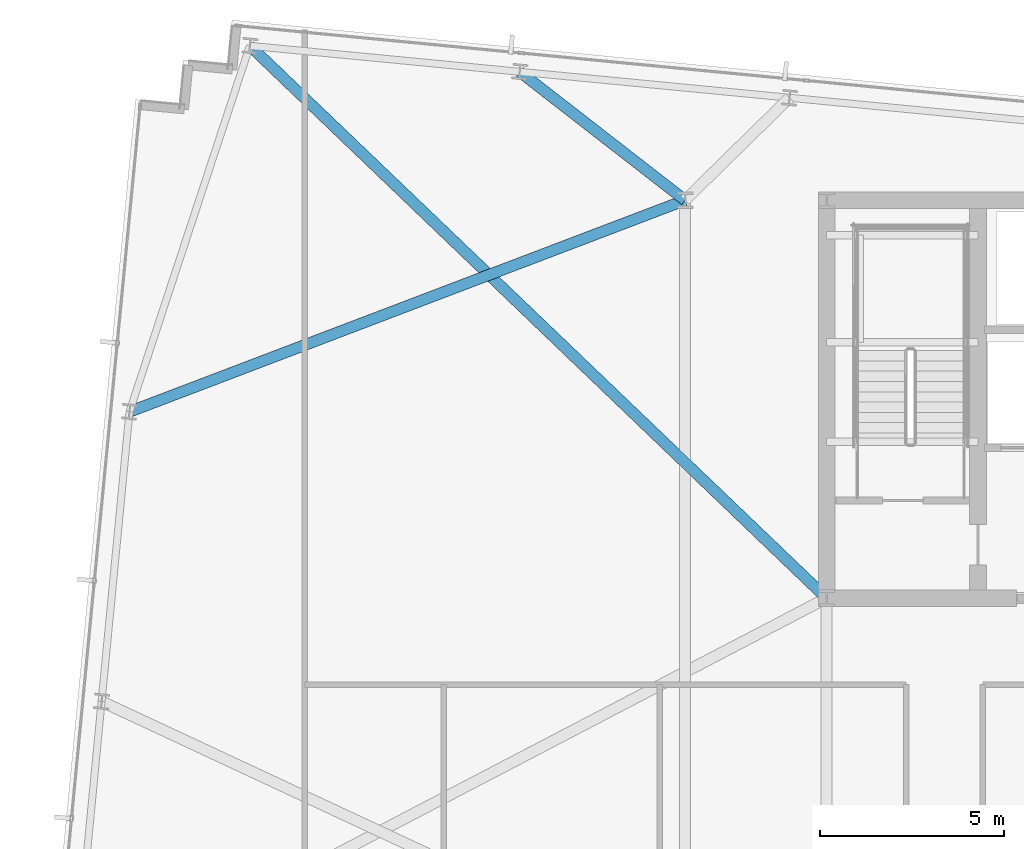
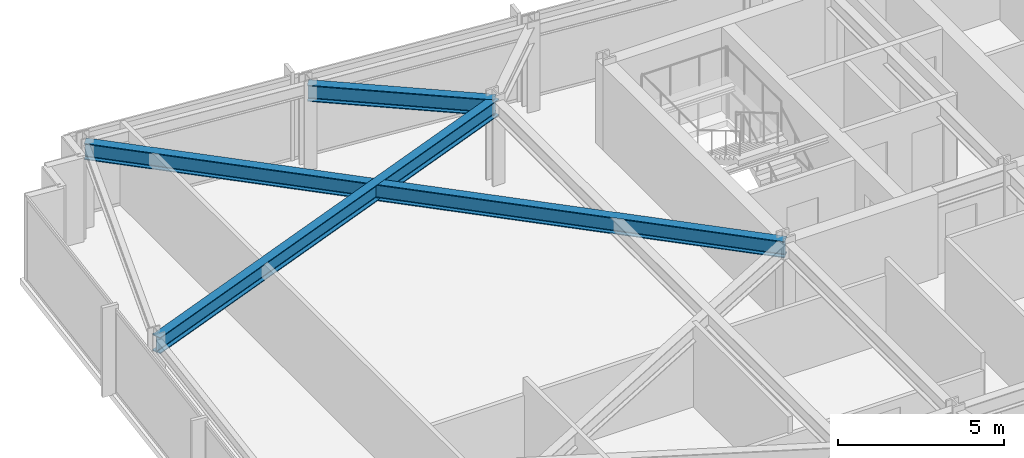
# One storey, part 22 of 37: 3 beams.
"""IFC4 building model written with IfcOpenShell, lengths in metres."""

from ifc_helpers import new_model, si_unit, direction, frame, origin, origin_2d, place, context, subcontext, project, spatial, i_section, extrude, material, material_profile, profile_set, type_object, element, save


model = new_model("IFC4")

# Units and contexts
model_context = context("Model", 3, precision=1e-05, world=origin(), true_north=direction((0.0, 1.0)))
body_context = subcontext(model_context, "Body", "Model", "MODEL_VIEW")
ifc_project = project(units=[si_unit("LENGTHUNIT", "METRE"), si_unit("AREAUNIT", "SQUARE_METRE"), si_unit("VOLUMEUNIT", "CUBIC_METRE"), si_unit("PLANEANGLEUNIT", "RADIAN"), si_unit("MASSUNIT", "GRAM", prefix="KILO")], contexts=[model_context])

# Site, building, storey
site_placement = place(None, origin())
site = spatial("IfcSite", under=ifc_project, at=site_placement, CompositionType="ELEMENT")
building_placement = place(site_placement, origin())
building = spatial("IfcBuilding", under=site, at=building_placement, Name="Yelkora Congress Tower", CompositionType="ELEMENT")
storey_placement = place(building_placement, frame((0.0, 0.0, 158.89990234375)))
storey = spatial("IfcBuildingStorey", under=building, at=storey_placement, Name="L43", CompositionType="ELEMENT", Elevation=158.89990234375)

# Beams
ifc_material = material(Name="Steel S355J2", Category="steel")
ifc_material_profile = material_profile(ifc_material, i_section(OverallWidth=0.300048828125, OverallDepth=0.60009765625, WebThickness=0.015380859375, FlangeThickness=0.030029296875, FilletRadius=0.027099609375, at=origin_2d()), Name="HEB 600")
ifc_profile_set = profile_set([ifc_material_profile], Name="Steel S355J2")
beam_type = type_object("IfcBeamType", Name="BM-GIRD-HEB600", PredefinedType="BEAM", material=ifc_profile_set)
beam_1_placement = place(storey_placement, frame((7.388916015625, 50.390625, 2.780029296875), z_axis=(0.722178809531, -0.691706416816, 0.0), x_axis=(0.691706416816, 0.722178809531, 0.0)))
element("IfcBeam", 1, at=beam_1_placement, inside=storey, type_object=beam_type, Name="L43 Primary Frame Girder N01", PredefinedType="BEAM", context=body_context, shape_type="SweptSolid", body=[
    extrude(i_section(OverallWidth=0.300048828125, OverallDepth=0.60009765625, WebThickness=0.015380859375, FlangeThickness=0.030029296875, FilletRadius=0.027099609375, at=origin_2d()), origin(), (0.0, 0.0, 1.0), 21.672119140625),
])
beam_2_placement = place(storey_placement, frame((14.712158203125, 49.685546875, 2.780029296875), z_axis=(0.789770770989, -0.6134020943, 0.0), x_axis=(0.6134020943, 0.789770770989, 0.0)))
element("IfcBeam", 2, at=beam_2_placement, inside=storey, type_object=beam_type, Name="L43 Primary Frame Girder N02", PredefinedType="BEAM", context=body_context, shape_type="SweptSolid", body=[
    extrude(i_section(OverallWidth=0.300048828125, OverallDepth=0.60009765625, WebThickness=0.015380859375, FlangeThickness=0.030029296875, FilletRadius=0.027099609375, at=origin_2d()), origin(), (0.0, 0.0, 1.0), 5.682373046875),
])
beam_3_placement = place(storey_placement, frame((4.121826171875, 40.4580078125, 2.780029296875), z_axis=(0.934531115392, 0.355881433013, 0.0), x_axis=(-0.355881433013, 0.934531115392, 0.0)))
element("IfcBeam", 3, at=beam_3_placement, inside=storey, type_object=beam_type, Name="L43 Primary Frame Girder W03", PredefinedType="BEAM", context=body_context, shape_type="SweptSolid", body=[
    extrude(i_section(OverallWidth=0.300048828125, OverallDepth=0.60009765625, WebThickness=0.015380859375, FlangeThickness=0.030029296875, FilletRadius=0.027099609375, at=origin_2d()), origin(), (0.0, 0.0, 1.0), 16.134521484375),
])

save(model, "model.ifc")
